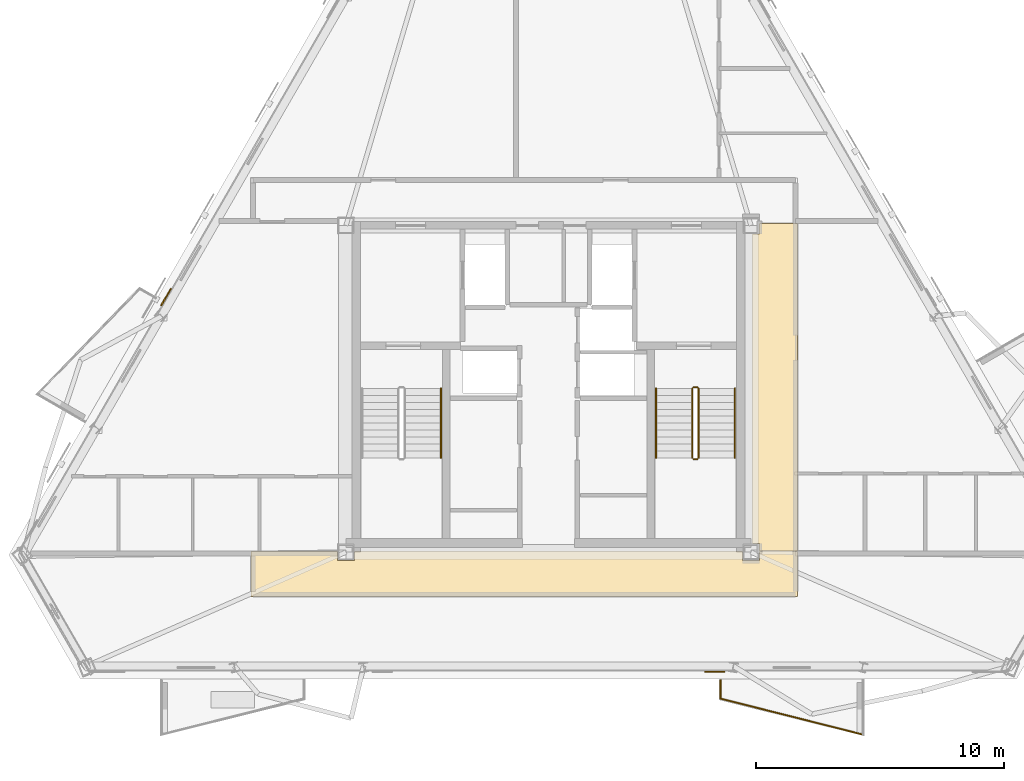
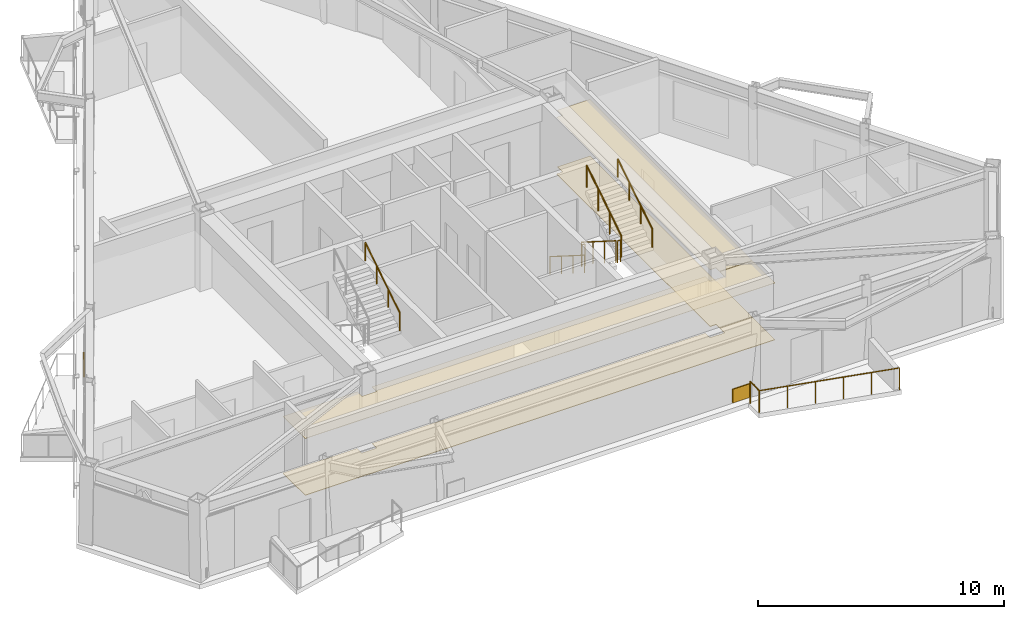
# One storey, part 7 of 9: 9 railings, 6 coverings.
"""IFC4 building model written with IfcOpenShell, lengths in metres."""

from ifc_helpers import new_model, si_unit, direction, frame, origin, origin_2d, place, context, subcontext, project, spatial, polyline, rectangle, circle, outline, extrude, material, layer, layer_set, type_object, element, save


model = new_model("IFC4")

# Units and contexts
model_context = context("Model", 3, precision=1e-05, world=origin(), true_north=direction((0.0, 1.0)))
body_context = subcontext(model_context, "Body", "Model", "MODEL_VIEW")
ifc_project = project(units=[si_unit("LENGTHUNIT", "METRE"), si_unit("AREAUNIT", "SQUARE_METRE"), si_unit("VOLUMEUNIT", "CUBIC_METRE"), si_unit("PLANEANGLEUNIT", "RADIAN"), si_unit("MASSUNIT", "GRAM", prefix="KILO")], contexts=[model_context])

# Site, building, storey
site_placement = place(None, origin())
site = spatial("IfcSite", under=ifc_project, at=site_placement, CompositionType="ELEMENT")
building_placement = place(site_placement, origin())
building = spatial("IfcBuilding", under=site, at=building_placement, Name="Oramaril Tower", CompositionType="ELEMENT")
storey_placement = place(building_placement, frame((0.0, 0.0, 257.699951171875)))
storey = spatial("IfcBuildingStorey", under=building, at=storey_placement, Name="L68", CompositionType="ELEMENT", Elevation=257.699951171875)

# Coverings
ifc_material_1 = material(Name="Mineral Fibre Acoustic Ceiling")
ifc_layer_1 = layer(ifc_material_1, 0.02001953125)
ifc_layer_set_1 = layer_set([ifc_layer_1], Name="CVT-CEIL")
covering_type_1 = type_object("IfcCoveringType", Name="CVT-CEIL", PredefinedType="CEILING", material=ifc_layer_set_1)
covering_1_placement = place(storey_placement, frame((0.0, 0.0, 2.81201171875)))
element("IfcCovering", 1, at=covering_1_placement, inside=storey, type_object=covering_type_1, Name="L68 Acoustic Suspended Ceiling 1", PredefinedType="CEILING", context=body_context, shape_type="SweptSolid", body=[
    extrude(outline(polyline([(29.0048828125, 10.655029296875), (29.695068359375, 10.655029296875), (29.695068359375, 11.030029296875), (45.304931640625, 11.030029296875), (45.304931640625, 10.655029296875), (45.9951171875, 10.655029296875), (45.9951171875, 11.030029296875), (47.530029296875, 11.030029296875), (47.530029296875, 9.219970703125), (25.52001953125, 9.219970703125), (25.52001953125, 11.030029296875), (29.0048828125, 11.030029296875), (29.0048828125, 10.655029296875)])), origin(), (0.0, 0.0, 1.0), 0.02001953125),
])
covering_2_placement = place(storey_placement, frame((0.0, 0.0, 2.81201171875)))
element("IfcCovering", 2, at=covering_2_placement, inside=storey, type_object=covering_type_1, Name="L68 Acoustic Suspended Ceiling 3", PredefinedType="CEILING", context=body_context, shape_type="SweptSolid", body=[
    extrude(outline(polyline([(47.530029296875, 11.050048828125), (45.9951171875, 11.050048828125), (45.9951171875, 11.344970703125), (45.719970703125, 11.344970703125), (45.719970703125, 23.804931640625), (45.9951171875, 23.804931640625), (45.9951171875, 24.219970703125), (47.530029296875, 24.219970703125), (47.530029296875, 11.050048828125)])), origin(), (0.0, 0.0, 1.0), 0.02001953125),
])
ifc_material_2 = material(Name="Warm Cream Limestone", Category="masonry")
ifc_layer_2 = layer(ifc_material_2, 0.050048828125)
ifc_layer_set_2 = layer_set([ifc_layer_2], Name="CVT-CLD")
covering_type_2 = type_object("IfcCoveringType", Name="CVT-CLD", PredefinedType="CLADDING", material=ifc_layer_set_2)
for number, where, z_axis, x_axis, name in (
    (3, (44.187255859375, 6.185546875, 0.0400390625), (0.0, 0.0, 1.0), (1.0, 0.0, 0.0), "L68 Warm Cream Limestone Spandrel Cladding"),
    (4, (22.106201171875, 21.265869140625, 0.0400390625), (0.0, 0.0, 1.0), (-0.5, -0.866025403784, 0.0), "L68 Warm Cream Limestone Spandrel Cladding"),
):
    element("IfcCovering", number, at=place(storey_placement, frame(where, z_axis=z_axis, x_axis=x_axis)), inside=storey, type_object=covering_type_2, Name=name, PredefinedType="CLADDING", context=body_context, shape_type="SweptSolid", body=[
        extrude(rectangle(XDim=0.800048828125, YDim=0.050048828125, at=origin_2d()), origin(), (0.0, 0.0, 1.0), 0.679931640625),
    ])
ifc_material_3 = material(Name="Honed Quartzite Stone Flooring", Category="masonry")
ifc_layer_3 = layer(ifc_material_3, 0.02490234375)
ifc_layer_set_3 = layer_set([ifc_layer_3], Name="CVT-FLR")
covering_type_3 = type_object("IfcCoveringType", Name="CVT-FLR", PredefinedType="FLOORING", material=ifc_layer_set_3)
covering_3_placement = place(storey_placement, origin())
element("IfcCovering", 5, at=covering_3_placement, inside=storey, type_object=covering_type_3, Name="L68 Honed Stone Floor Finish 1", PredefinedType="FLOORING", context=body_context, shape_type="SweptSolid", body=[
    extrude(outline(polyline([(29.0048828125, 10.655029296875), (29.695068359375, 10.655029296875), (29.695068359375, 11.030029296875), (45.304931640625, 11.030029296875), (45.304931640625, 10.655029296875), (45.9951171875, 10.655029296875), (45.9951171875, 11.030029296875), (47.530029296875, 11.030029296875), (47.530029296875, 9.219970703125), (25.52001953125, 9.219970703125), (25.52001953125, 11.030029296875), (29.0048828125, 11.030029296875), (29.0048828125, 10.655029296875)])), origin(), (0.0, 0.0, 1.0), 0.025146484375),
])
covering_4_placement = place(storey_placement, origin())
element("IfcCovering", 6, at=covering_4_placement, inside=storey, type_object=covering_type_3, Name="L68 Honed Stone Floor Finish 3", PredefinedType="FLOORING", context=body_context, shape_type="SweptSolid", body=[
    extrude(outline(polyline([(47.530029296875, 11.050048828125), (45.9951171875, 11.050048828125), (45.9951171875, 11.344970703125), (45.719970703125, 11.344970703125), (45.719970703125, 23.804931640625), (45.9951171875, 23.804931640625), (45.9951171875, 24.219970703125), (47.530029296875, 24.219970703125), (47.530029296875, 11.050048828125)])), origin(), (0.0, 0.0, 1.0), 0.025146484375),
])

# Railings
ifc_material_4 = material(Name="Stainless Steel 316L", Category="steel")
railing_type_1 = type_object("IfcRailingType", Name="RLT-GRD", PredefinedType="GUARDRAIL", material=ifc_material_4)
railing_1_placement = place(storey_placement, frame((50.15625, 3.653564453125, 0.0)))
element("IfcRailing", 7, at=railing_1_placement, inside=storey, type_object=railing_type_1, Name="L68 Balcony Guardrail L68-BAL-S2.2", PredefinedType="GUARDRAIL", context=body_context, shape_type="SweptSolid", body=[
    extrude(circle(Radius=0.02392578125, at=origin_2d()), frame((0.0, 0.0, 1.076171875), z_axis=(-0.969443611257, 0.245314256807, 0.0), x_axis=(-0.245314256807, -0.969443611257, 0.0)), (0.0, 0.0, 1.0), 5.91064453125),
    extrude(circle(Radius=0.02099609375, at=origin_2d()), origin(), (0.0, 0.0, 1.0), 1.052001953125),
    extrude(circle(Radius=0.02099609375, at=origin_2d()), frame((-1.14599609375, 0.2900390625, 0.0)), (0.0, 0.0, 1.0), 1.052001953125),
    extrude(circle(Radius=0.02099609375, at=origin_2d()), frame((-2.2919921875, 0.580078125, 0.0)), (0.0, 0.0, 1.0), 1.052001953125),
    extrude(circle(Radius=0.02099609375, at=origin_2d()), frame((-3.43798828125, 0.869873046875, 0.0)), (0.0, 0.0, 1.0), 1.052001953125),
    extrude(circle(Radius=0.02099609375, at=origin_2d()), frame((-4.583984375, 1.159912109375, 0.0)), (0.0, 0.0, 1.0), 1.052001953125),
    extrude(circle(Radius=0.02099609375, at=origin_2d()), frame((-5.72998046875, 1.449951171875, 0.0)), (0.0, 0.0, 1.0), 1.052001953125),
])
railing_2_placement = place(storey_placement, frame((44.42626953125, 5.103515625, 0.0)))
element("IfcRailing", 8, at=railing_2_placement, inside=storey, type_object=railing_type_1, Name="L68 Balcony Guardrail L68-BAL-S2.3", PredefinedType="GUARDRAIL", context=body_context, shape_type="SweptSolid", body=[
    extrude(circle(Radius=0.02392578125, at=origin_2d()), frame((0.0, 0.0, 1.076171875), z_axis=(0.0, 1.0, 0.0), x_axis=(-1.0, 0.0, 0.0)), (0.0, 0.0, 1.0), 0.7421875),
    extrude(circle(Radius=0.02099609375, at=origin_2d()), origin(), (0.0, 0.0, 1.0), 1.052001953125),
    extrude(circle(Radius=0.02099609375, at=origin_2d()), frame((0.0, 0.7421875, 0.0)), (0.0, 0.0, 1.0), 1.052001953125),
])
railing_3_placement = place(storey_placement, frame((43.2900390625, 17.590087890625, 0.17724609375)))
element("IfcRailing", 9, at=railing_3_placement, inside=storey, type_object=railing_type_1, Name="L68 ST-2 stair guard 1", PredefinedType="GUARDRAIL", context=body_context, shape_type="SweptSolid", body=[
    extrude(circle(Radius=0.02392578125, at=origin_2d()), frame((0.0, 0.0, 1.076171875), z_axis=(0.0, -0.844908973607, 0.534910110503), x_axis=(1.0, 0.0, 0.0)), (0.0, 0.0, 1.0), 3.31396484375),
    extrude(circle(Radius=0.02099609375, at=origin_2d()), origin(), (0.0, 0.0, 1.0), 1.052001953125),
    extrude(circle(Radius=0.02099609375, at=origin_2d()), frame((0.0, -0.933349609375, 0.5908203125)), (0.0, 0.0, 1.0), 1.052001953125),
    extrude(circle(Radius=0.02099609375, at=origin_2d()), frame((0.0, -1.86669921875, 1.181884765625)), (0.0, 0.0, 1.0), 1.052001953125),
    extrude(circle(Radius=0.02099609375, at=origin_2d()), frame((0.0, -2.800048828125, 1.772705078125)), (0.0, 0.0, 1.0), 1.052001953125),
])
railing_4_placement = place(storey_placement, frame((43.340087890625, 14.739990234375, 1.949951171875)))
element("IfcRailing", 10, at=railing_4_placement, inside=storey, type_object=railing_type_1, Name="L68 ST-2 stair guard 2", PredefinedType="GUARDRAIL", context=body_context, shape_type="SweptSolid", body=[
    extrude(circle(Radius=0.02392578125, at=origin_2d()), frame((0.0, 0.0, 1.076171875), z_axis=(1.0, 0.0, 0.0), x_axis=(0.0, 1.0, 0.0)), (0.0, 0.0, 1.0), 0.14990234375),
    extrude(circle(Radius=0.02099609375, at=origin_2d()), origin(), (0.0, 0.0, 1.0), 1.052001953125),
    extrude(circle(Radius=0.02099609375, at=origin_2d()), frame((0.14990234375, 0.0, 0.0)), (0.0, 0.0, 1.0), 1.052001953125),
])
railing_5_placement = place(storey_placement, frame((43.5400390625, 14.7900390625, 2.12744140625)))
element("IfcRailing", 11, at=railing_5_placement, inside=storey, type_object=railing_type_1, Name="L68 ST-2 stair guard 3", PredefinedType="GUARDRAIL", context=body_context, shape_type="SweptSolid", body=[
    extrude(circle(Radius=0.02392578125, at=origin_2d()), frame((0.0, 0.0, 1.076171875), z_axis=(0.0, 0.844908973607, 0.534910110503), x_axis=(-1.0, 0.0, 0.0)), (0.0, 0.0, 1.0), 3.31396484375),
    extrude(circle(Radius=0.02099609375, at=origin_2d()), origin(), (0.0, 0.0, 1.0), 1.052001953125),
    extrude(circle(Radius=0.02099609375, at=origin_2d()), frame((0.0, 0.933349609375, 0.5908203125)), (0.0, 0.0, 1.0), 1.052001953125),
    extrude(circle(Radius=0.02099609375, at=origin_2d()), frame((0.0, 1.86669921875, 1.181884765625)), (0.0, 0.0, 1.0), 1.052001953125),
    extrude(circle(Radius=0.02099609375, at=origin_2d()), frame((0.0, 2.800048828125, 1.772705078125)), (0.0, 0.0, 1.0), 1.052001953125),
])
railing_6_placement = place(storey_placement, frame((43.340087890625, 17.639892578125, 0.0)))
element("IfcRailing", 12, at=railing_6_placement, inside=storey, type_object=railing_type_1, Name="L68 ST-2 stair guard 4", PredefinedType="GUARDRAIL", context=body_context, shape_type="SweptSolid", body=[
    extrude(circle(Radius=0.02392578125, at=origin_2d()), frame((0.0, 0.0, 1.076171875), z_axis=(1.0, 0.0, 0.0), x_axis=(0.0, 1.0, 0.0)), (0.0, 0.0, 1.0), 0.14990234375),
    extrude(circle(Radius=0.02099609375, at=origin_2d()), origin(), (0.0, 0.0, 1.0), 1.052001953125),
    extrude(circle(Radius=0.02099609375, at=origin_2d()), frame((0.14990234375, 0.0, 0.0)), (0.0, 0.0, 1.0), 1.052001953125),
])
ifc_material_5 = material(Name="Stainless Steel 316L", Category="steel")
railing_type_2 = type_object("IfcRailingType", Name="RLT-HND", PredefinedType="HANDRAIL", material=ifc_material_5)
railing_7_placement = place(storey_placement, frame((33.169921875, 14.7900390625, 2.12744140625)))
element("IfcRailing", 13, at=railing_7_placement, inside=storey, type_object=railing_type_2, Name="L68 ST-1 stair handrail 2", PredefinedType="HANDRAIL", context=body_context, shape_type="SweptSolid", body=[
    extrude(circle(Radius=0.02392578125, at=origin_2d()), frame((0.0, 0.0, 0.8759765625), z_axis=(0.0, 0.844908973607, 0.534910110503), x_axis=(-1.0, 0.0, 0.0)), (0.0, 0.0, 1.0), 3.31396484375),
    extrude(circle(Radius=0.02099609375, at=origin_2d()), origin(), (0.0, 0.0, 1.0), 0.851806640625),
    extrude(circle(Radius=0.02099609375, at=origin_2d()), frame((0.0, 0.933349609375, 0.5908203125)), (0.0, 0.0, 1.0), 0.851806640625),
    extrude(circle(Radius=0.02099609375, at=origin_2d()), frame((0.0, 1.86669921875, 1.181884765625)), (0.0, 0.0, 1.0), 0.851806640625),
    extrude(circle(Radius=0.02099609375, at=origin_2d()), frame((0.0, 2.800048828125, 1.772705078125)), (0.0, 0.0, 1.0), 0.851806640625),
])
railing_8_placement = place(storey_placement, frame((41.830078125, 17.590087890625, 0.17724609375)))
element("IfcRailing", 14, at=railing_8_placement, inside=storey, type_object=railing_type_2, Name="L68 ST-2 stair handrail 1", PredefinedType="HANDRAIL", context=body_context, shape_type="SweptSolid", body=[
    extrude(circle(Radius=0.02392578125, at=origin_2d()), frame((0.0, 0.0, 0.8759765625), z_axis=(0.0, -0.844908973607, 0.534910110503), x_axis=(1.0, 0.0, 0.0)), (0.0, 0.0, 1.0), 3.31396484375),
    extrude(circle(Radius=0.02099609375, at=origin_2d()), origin(), (0.0, 0.0, 1.0), 0.851806640625),
    extrude(circle(Radius=0.02099609375, at=origin_2d()), frame((0.0, -0.933349609375, 0.5908203125)), (0.0, 0.0, 1.0), 0.851806640625),
    extrude(circle(Radius=0.02099609375, at=origin_2d()), frame((0.0, -1.86669921875, 1.181884765625)), (0.0, 0.0, 1.0), 0.851806640625),
    extrude(circle(Radius=0.02099609375, at=origin_2d()), frame((0.0, -2.800048828125, 1.772705078125)), (0.0, 0.0, 1.0), 0.851806640625),
])
railing_9_placement = place(storey_placement, frame((45.0, 14.7900390625, 2.12744140625)))
element("IfcRailing", 15, at=railing_9_placement, inside=storey, type_object=railing_type_2, Name="L68 ST-2 stair handrail 2", PredefinedType="HANDRAIL", context=body_context, shape_type="SweptSolid", body=[
    extrude(circle(Radius=0.02392578125, at=origin_2d()), frame((0.0, 0.0, 0.8759765625), z_axis=(0.0, 0.844908973607, 0.534910110503), x_axis=(-1.0, 0.0, 0.0)), (0.0, 0.0, 1.0), 3.31396484375),
    extrude(circle(Radius=0.02099609375, at=origin_2d()), origin(), (0.0, 0.0, 1.0), 0.851806640625),
    extrude(circle(Radius=0.02099609375, at=origin_2d()), frame((0.0, 0.933349609375, 0.5908203125)), (0.0, 0.0, 1.0), 0.851806640625),
    extrude(circle(Radius=0.02099609375, at=origin_2d()), frame((0.0, 1.86669921875, 1.181884765625)), (0.0, 0.0, 1.0), 0.851806640625),
    extrude(circle(Radius=0.02099609375, at=origin_2d()), frame((0.0, 2.800048828125, 1.772705078125)), (0.0, 0.0, 1.0), 0.851806640625),
])

save(model, "model.ifc")
